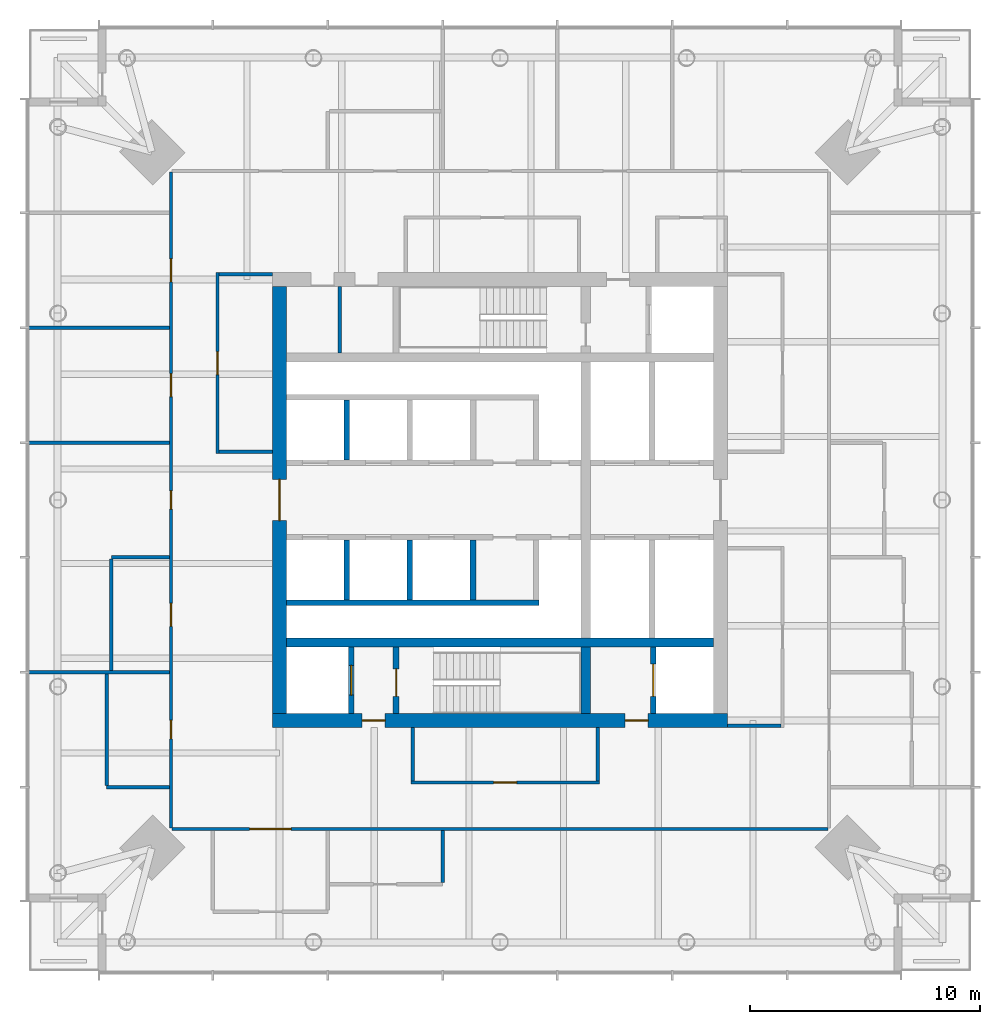
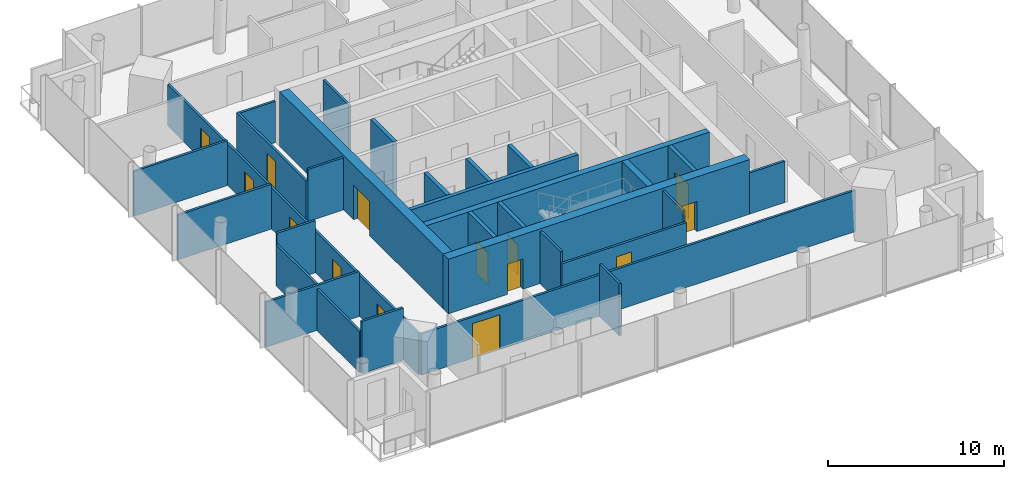
# One storey, part 4 of 8: 30 walls, 14 doors, 14 openings.
"""IFC4 building model written with IfcOpenShell, lengths in metres."""

from ifc_helpers import new_model, si_unit, direction, frame, frame_2d, origin, place, context, subcontext, project, spatial, rectangle, extrude, material, layer, layer_set, type_object, element, fill, save


model = new_model("IFC4")

# Units and contexts
model_context = context("Model", 3, precision=1e-05, world=origin(), true_north=direction((0.0, 1.0)))
body_context = subcontext(model_context, "Body", "Model", "MODEL_VIEW")
ifc_project = project(units=[si_unit("LENGTHUNIT", "METRE"), si_unit("AREAUNIT", "SQUARE_METRE"), si_unit("VOLUMEUNIT", "CUBIC_METRE"), si_unit("PLANEANGLEUNIT", "RADIAN"), si_unit("MASSUNIT", "GRAM", prefix="KILO")], contexts=[model_context])

# Site, building, storey
site_placement = place(None, origin())
site = spatial("IfcSite", under=ifc_project, at=site_placement, CompositionType="ELEMENT")
building_placement = place(site_placement, origin())
building = spatial("IfcBuilding", under=site, at=building_placement, Name="Ostroluk Exchange", CompositionType="ELEMENT")
storey_placement = place(building_placement, frame((0.0, 0.0, 169.199951171875)))
storey = spatial("IfcBuildingStorey", under=building, at=storey_placement, Name="L43", CompositionType="ELEMENT", Elevation=169.199951171875)

# Walls
ifc_material_1 = material(Name="Concrete blockwork", Category="masonry")
ifc_layer_1 = layer(ifc_material_1, 0.14990234375)
ifc_layer_set_1 = layer_set([ifc_layer_1], Name="Blockwork plant room wall 150")
wall_type_1 = type_object("IfcWallType", Name="Blockwork plant room wall 150", PredefinedType="SOLIDWALL", material=ifc_layer_set_1)
wall_1_placement = place(storey_placement, frame((38.02490234375, 52.39990234375, 0.0), z_axis=(0.0, 0.0, 1.0), x_axis=(0.0, 1.0, 0.0)))
element("IfcWall", 1, at=wall_1_placement, inside=storey, type_object=wall_type_1, Name="Core room wall", PredefinedType="SOLIDWALL", context=body_context, shape_type="SweptSolid", body=[
    extrude(rectangle(XDim=2.900146484375, YDim=0.14990234375, at=frame_2d((1.4501953125, 0.0))), origin(), (0.0, 0.0, 1.0), 3.6201171875),
])
ifc_material_2 = material(Name="Concrete C50/60", Category="concrete")
ifc_layer_2 = layer(ifc_material_2, 0.39990234375)
ifc_layer_set_2 = layer_set([ifc_layer_2], Name="Core cross wall 400 C50/60")
wall_type_2 = type_object("IfcWallType", Name="Core cross wall 400 C50/60", PredefinedType="SHEAR", material=ifc_layer_set_2)
wall_2_placement = place(storey_placement, frame((35.699951171875, 39.800048828125, 0.0), z_axis=(0.0, 0.0, 1.0), x_axis=(1.0, 0.0, 0.0)))
element("IfcWall", 2, at=wall_2_placement, inside=storey, type_object=wall_type_2, Name="T1 core wall XS", PredefinedType="SHEAR", context=body_context, shape_type="SweptSolid", body=[
    extrude(rectangle(XDim=18.60009765625, YDim=0.39990234375, at=frame_2d((9.300048828125, 0.0))), origin(), (0.0, 0.0, 1.0), 3.800048828125),
])
wall_3_placement = place(storey_placement, frame((48.72998046875, 36.699951171875, 0.0), z_axis=(0.0, 0.0, 1.0), x_axis=(0.0, 1.0, 0.0)))
element("IfcWall", 3, at=wall_3_placement, inside=storey, type_object=wall_type_2, Name="T1 core wall YE1", PredefinedType="SHEAR", context=body_context, shape_type="SweptSolid", body=[
    extrude(rectangle(XDim=2.900146484375, YDim=0.39990234375, at=frame_2d((1.4501953125, 0.0))), origin(), (0.0, 0.0, 1.0), 3.800048828125),
])

# Wall, opening, door
ifc_material_3 = material(Name="Concrete C40/50", Category="concrete")
ifc_layer_3 = layer(ifc_material_3, 0.25)
ifc_layer_set_3 = layer_set([ifc_layer_3], Name="Core shaft wall 250")
wall_type_3 = type_object("IfcWallType", Name="Core shaft wall 250", PredefinedType="SHEAR", material=ifc_layer_set_3)
wall_4_placement = place(storey_placement, frame((38.52490234375, 36.699951171875, 0.0), z_axis=(0.0, 0.0, 1.0), x_axis=(0.0, 1.0, 0.0)))
wall_4 = element("IfcWall", 4, at=wall_4_placement, inside=storey, type_object=wall_type_3, Name="Firefighting lift shaft wall", PredefinedType="SHEAR", context=body_context, shape_type="SweptSolid", body=[
    extrude(rectangle(XDim=2.900146484375, YDim=0.25, at=frame_2d((1.4501953125, 0.0))), origin(), (0.0, 0.0, 1.0), 3.800048828125),
])
opening_1_placement = place(wall_4_placement, frame((0.800048828125, 0.0, 0.0)))
opening_1 = element("IfcOpeningElement", 5, at=opening_1_placement, cuts=wall_4, Name="Opening LD2", PredefinedType="OPENING", context=body_context, shape_type="SweptSolid", body=[
    extrude(rectangle(XDim=1.300048828125, YDim=2.199951171875, at=frame_2d((0.64990234375, 1.10009765625))), frame((0.0, 0.135009765625, 0.0), z_axis=(0.0, -1.0, 0.0), x_axis=(1.0, 0.0, 0.0)), (0.0, 0.0, 1.0), 0.27001953125),
])
ifc_material_4 = material(Name="Stainless steel", Category="steel")
door_type_1 = type_object("IfcDoorType", Name="Lift landing door E 60 1300 x 2200", OperationType="DOUBLE_DOOR_SLIDING", PredefinedType="DOOR", material=ifc_material_4)
door_1_placement = place(opening_1_placement, origin())
door_1 = element("IfcDoor", 6, at=door_1_placement, inside=storey, type_object=door_type_1, Name="Lift FL1 landing door", OperationType="DOUBLE_DOOR_SLIDING", OverallHeight=2.199951171875, OverallWidth=1.300048828125, PredefinedType="DOOR", context=body_context, shape_type="SweptSolid", body=[
    extrude(rectangle(XDim=1.300048828125, YDim=2.199951171875, at=frame_2d((0.64990234375, 1.10009765625))), frame((0.0, 0.02490234375, 0.0), z_axis=(0.0, -1.0, 0.0), x_axis=(1.0, 0.0, 0.0)), (0.0, 0.0, 1.0), 0.050048828125),
])
fill(opening_1, door_1)

wall_5_placement = place(storey_placement, frame((40.47509765625, 36.699951171875, 0.0), z_axis=(0.0, 0.0, 1.0), x_axis=(0.0, 1.0, 0.0)))
wall_5 = element("IfcWall", 7, at=wall_5_placement, inside=storey, type_object=wall_type_3, Name="Stair shaft wall", PredefinedType="SHEAR", context=body_context, shape_type="SweptSolid", body=[
    extrude(rectangle(XDim=2.900146484375, YDim=0.25, at=frame_2d((1.4501953125, 0.0))), origin(), (0.0, 0.0, 1.0), 3.800048828125),
])
opening_2_placement = place(wall_5_placement, frame((0.75, 0.0, 0.0)))
opening_2 = element("IfcOpeningElement", 8, at=opening_2_placement, cuts=wall_5, Name="Opening FD60S", PredefinedType="OPENING", context=body_context, shape_type="SweptSolid", body=[
    extrude(rectangle(XDim=1.199951171875, YDim=2.10009765625, at=frame_2d((0.60009765625, 1.050048828125))), frame((0.0, 0.135009765625, 0.0), z_axis=(0.0, -1.0, 0.0), x_axis=(1.0, 0.0, 0.0)), (0.0, 0.0, 1.0), 0.27001953125),
])
ifc_material_5 = material(Name="Steel", Category="steel")
door_type_2 = type_object("IfcDoorType", Name="Stair door EI 60 1200 x 2100", OperationType="SINGLE_SWING_LEFT", PredefinedType="DOOR", material=ifc_material_5)
door_2_placement = place(opening_2_placement, origin())
door_2 = element("IfcDoor", 9, at=door_2_placement, inside=storey, type_object=door_type_2, Name="Stair T1-S1 door", OperationType="SINGLE_SWING_LEFT", OverallHeight=2.10009765625, OverallWidth=1.199951171875, PredefinedType="DOOR", context=body_context, shape_type="SweptSolid", body=[
    extrude(rectangle(XDim=1.199951171875, YDim=2.10009765625, at=frame_2d((0.60009765625, 1.050048828125))), frame((0.0, 0.02490234375, 0.0), z_axis=(0.0, -1.0, 0.0), x_axis=(1.0, 0.0, 0.0)), (0.0, 0.0, 1.0), 0.050048828125),
])
fill(opening_2, door_2)

wall_6_placement = place(storey_placement, frame((51.675048828125, 36.699951171875, 0.0), z_axis=(0.0, 0.0, 1.0), x_axis=(0.0, 1.0, 0.0)))
wall_6 = element("IfcWall", 10, at=wall_6_placement, inside=storey, type_object=wall_type_3, Name="Service lift shaft wall", PredefinedType="SHEAR", context=body_context, shape_type="SweptSolid", body=[
    extrude(rectangle(XDim=2.900146484375, YDim=0.25, at=frame_2d((1.4501953125, 0.0))), origin(), (0.0, 0.0, 1.0), 3.800048828125),
])
opening_3_placement = place(wall_6_placement, frame((0.75, 0.0, 0.0)))
opening_3 = element("IfcOpeningElement", 11, at=opening_3_placement, cuts=wall_6, Name="Opening LD3", PredefinedType="OPENING", context=body_context, shape_type="SweptSolid", body=[
    extrude(rectangle(XDim=1.39990234375, YDim=2.39990234375, at=frame_2d((0.699951171875, 1.199951171875))), frame((0.0, 0.135009765625, 0.0), z_axis=(0.0, -1.0, 0.0), x_axis=(1.0, 0.0, 0.0)), (0.0, 0.0, 1.0), 0.27001953125),
])
ifc_material_6 = material(Name="Stainless steel", Category="steel")
door_type_3 = type_object("IfcDoorType", Name="Goods lift landing door E 60 1400 x 2400", OperationType="DOUBLE_DOOR_SLIDING", PredefinedType="DOOR", material=ifc_material_6)
door_3_placement = place(opening_3_placement, origin())
door_3 = element("IfcDoor", 12, at=door_3_placement, inside=storey, type_object=door_type_3, Name="Lift SL1 landing door", OperationType="DOUBLE_DOOR_SLIDING", OverallHeight=2.39990234375, OverallWidth=1.39990234375, PredefinedType="DOOR", context=body_context, shape_type="SweptSolid", body=[
    extrude(rectangle(XDim=1.39990234375, YDim=2.39990234375, at=frame_2d((0.699951171875, 1.199951171875))), frame((0.0, 0.02490234375, 0.0), z_axis=(0.0, -1.0, 0.0), x_axis=(1.0, 0.0, 0.0)), (0.0, 0.0, 1.0), 0.050048828125),
])
fill(opening_3, door_3)

# Walls
for number, where, z_axis, x_axis, name in (
    (13, (38.324951171875, 47.75, 0.0), (0.0, 0.0, 1.0), (0.0, 1.0, 0.0), "Lift shaft wall"),
    (14, (38.324951171875, 44.25, 0.0), (0.0, 0.0, 1.0), (0.0, -1.0, 0.0), "Lift shaft wall"),
    (15, (41.074951171875, 44.25, 0.0), (0.0, 0.0, 1.0), (0.0, -1.0, 0.0), "Lift shaft wall"),
    (16, (43.824951171875, 44.25, 0.0), (0.0, 0.0, 1.0), (0.0, -1.0, 0.0), "Lift shaft wall"),
):
    element("IfcWall", number, at=place(storey_placement, frame(where, z_axis=z_axis, x_axis=x_axis)), inside=storey, type_object=wall_type_3, Name=name, PredefinedType="SHEAR", context=body_context, shape_type="SweptSolid", body=[
        extrude(rectangle(XDim=2.60009765625, YDim=0.25, at=frame_2d((1.300048828125, 0.0))), origin(), (0.0, 0.0, 1.0), 3.800048828125),
    ])
wall_7_placement = place(storey_placement, frame((35.699951171875, 41.52490234375, 0.0), z_axis=(0.0, 0.0, 1.0), x_axis=(1.0, 0.0, 0.0)))
element("IfcWall", 17, at=wall_7_placement, inside=storey, type_object=wall_type_3, Name="Lift shaft wall", PredefinedType="SHEAR", context=body_context, shape_type="SweptSolid", body=[
    extrude(rectangle(XDim=11.0, YDim=0.25, at=frame_2d((5.5, 0.0))), origin(), (0.0, 0.0, 1.0), 3.800048828125),
])

# Wall, openings, doors
ifc_material_7 = material(Name="Concrete C50/60", Category="concrete")
ifc_layer_4 = layer(ifc_material_7, 0.60009765625)
ifc_layer_set_4 = layer_set([ifc_layer_4], Name="Core wall 600 C50/60")
wall_type_4 = type_object("IfcWallType", Name="Core wall 600 C50/60", PredefinedType="SHEAR", material=ifc_layer_set_4)
wall_8_placement = place(storey_placement, frame((35.10009765625, 36.39990234375, 0.0), z_axis=(0.0, 0.0, 1.0), x_axis=(1.0, 0.0, 0.0)))
wall_8 = element("IfcWall", 18, at=wall_8_placement, inside=storey, type_object=wall_type_4, Name="T1 core wall S", PredefinedType="SHEAR", context=body_context, shape_type="SweptSolid", body=[
    extrude(rectangle(XDim=19.7998046875, YDim=0.60009765625, at=frame_2d((9.89990234375, 0.0))), origin(), (0.0, 0.0, 1.0), 3.800048828125),
])
opening_4_placement = place(wall_8_placement, frame((3.89990234375, 0.0, 0.0)))
opening_4 = element("IfcOpeningElement", 19, at=opening_4_placement, cuts=wall_8, Name="Opening FD60", PredefinedType="OPENING", context=body_context, shape_type="SweptSolid", body=[
    extrude(rectangle(XDim=1.0, YDim=2.10009765625, at=frame_2d((0.5, 1.050048828125))), frame((0.0, 0.31005859375, 0.0), z_axis=(0.0, -1.0, 0.0), x_axis=(1.0, 0.0, 0.0)), (0.0, 0.0, 1.0), 0.6201171875),
])
opening_5_placement = place(wall_8_placement, frame((15.35009765625, 0.0, 0.0)))
opening_5 = element("IfcOpeningElement", 20, at=opening_5_placement, cuts=wall_8, Name="Opening FD60", PredefinedType="OPENING", context=body_context, shape_type="SweptSolid", body=[
    extrude(rectangle(XDim=1.0, YDim=2.10009765625, at=frame_2d((0.5, 1.050048828125))), frame((0.0, 0.31005859375, 0.0), z_axis=(0.0, -1.0, 0.0), x_axis=(1.0, 0.0, 0.0)), (0.0, 0.0, 1.0), 0.6201171875),
])
ifc_material_8 = material(Name="Steel", Category="steel")
door_type_4 = type_object("IfcDoorType", Name="Fire door EI 60 1000 x 2100", OperationType="SINGLE_SWING_LEFT", PredefinedType="DOOR", material=ifc_material_8)
door_4_placement = place(opening_4_placement, origin())
door_4 = element("IfcDoor", 21, at=door_4_placement, inside=storey, type_object=door_type_4, Name="Firefighting lobby door", OperationType="SINGLE_SWING_LEFT", OverallHeight=2.10009765625, OverallWidth=1.0, PredefinedType="DOOR", context=body_context, shape_type="SweptSolid", body=[
    extrude(rectangle(XDim=1.0, YDim=2.10009765625, at=frame_2d((0.5, 1.050048828125))), frame((0.0, 0.02490234375, 0.0), z_axis=(0.0, -1.0, 0.0), x_axis=(1.0, 0.0, 0.0)), (0.0, 0.0, 1.0), 0.050048828125),
])
fill(opening_4, door_4)
door_5_placement = place(opening_5_placement, origin())
door_5 = element("IfcDoor", 22, at=door_5_placement, inside=storey, type_object=door_type_4, Name="Service lobby door", OperationType="SINGLE_SWING_RIGHT", OverallHeight=2.10009765625, OverallWidth=1.0, PredefinedType="DOOR", context=body_context, shape_type="SweptSolid", body=[
    extrude(rectangle(XDim=1.0, YDim=2.10009765625, at=frame_2d((0.5, 1.050048828125))), frame((0.0, 0.02490234375, 0.0), z_axis=(0.0, -1.0, 0.0), x_axis=(1.0, 0.0, 0.0)), (0.0, 0.0, 1.0), 0.050048828125),
])
fill(opening_5, door_5)

# Wall, opening, door
wall_9_placement = place(storey_placement, frame((35.39990234375, 36.699951171875, 0.0), z_axis=(0.0, 0.0, 1.0), x_axis=(0.0, 1.0, 0.0)))
wall_9 = element("IfcWall", 23, at=wall_9_placement, inside=storey, type_object=wall_type_4, Name="T1 core wall W", PredefinedType="SHEAR", context=body_context, shape_type="SweptSolid", body=[
    extrude(rectangle(XDim=18.60009765625, YDim=0.60009765625, at=frame_2d((9.300048828125, 0.0))), origin(), (0.0, 0.0, 1.0), 3.800048828125),
])
opening_6_placement = place(wall_9_placement, frame((8.39990234375, 0.0, 0.0)))
opening_6 = element("IfcOpeningElement", 24, at=opening_6_placement, cuts=wall_9, Name="Opening FD30D", PredefinedType="OPENING", context=body_context, shape_type="SweptSolid", body=[
    extrude(rectangle(XDim=1.800048828125, YDim=2.39990234375, at=frame_2d((0.89990234375, 1.199951171875))), frame((0.0, 0.31005859375, 0.0), z_axis=(0.0, -1.0, 0.0), x_axis=(1.0, 0.0, 0.0)), (0.0, 0.0, 1.0), 0.6201171875),
])
ifc_material_9 = material(Name="Timber", Category="wood")
door_type_5 = type_object("IfcDoorType", Name="Lobby double door EI 30 1800 x 2400", OperationType="DOUBLE_DOOR_SINGLE_SWING", PredefinedType="DOOR", material=ifc_material_9)
door_6_placement = place(opening_6_placement, origin())
door_6 = element("IfcDoor", 25, at=door_6_placement, inside=storey, type_object=door_type_5, Name="Lift lobby doors", OperationType="DOUBLE_DOOR_SINGLE_SWING", OverallHeight=2.39990234375, OverallWidth=1.800048828125, PredefinedType="DOOR", context=body_context, shape_type="SweptSolid", body=[
    extrude(rectangle(XDim=1.800048828125, YDim=2.39990234375, at=frame_2d((0.89990234375, 1.199951171875))), frame((0.0, 0.02490234375, 0.0), z_axis=(0.0, -1.0, 0.0), x_axis=(1.0, 0.0, 0.0)), (0.0, 0.0, 1.0), 0.050048828125),
])
fill(opening_6, door_6)

# Wall
ifc_material_10 = material(Name="Gypsum plasterboard partition", Category="gypsum")
ifc_layer_5 = layer(ifc_material_10, 0.14990234375)
ifc_layer_set_5 = layer_set([ifc_layer_5], Name="Plasterboard partition 150")
wall_type_5 = type_object("IfcWallType", Name="Plasterboard partition 150", PredefinedType="PARTITIONING", material=ifc_layer_set_5)
wall_10_placement = place(storey_placement, frame((54.89990234375, 36.175048828125, 0.0), z_axis=(0.0, 0.0, 1.0), x_axis=(1.0, 0.0, 0.0)))
element("IfcWall", 26, at=wall_10_placement, inside=storey, type_object=wall_type_5, Name="Partition", PredefinedType="PARTITIONING", context=body_context, shape_type="SweptSolid", body=[
    extrude(rectangle(XDim=2.3251953125, YDim=0.14990234375, at=frame_2d((1.16259765625, 0.0))), origin(), (0.0, 0.0, 1.0), 2.866943359375),
])

# Wall, opening, door
wall_11_placement = place(storey_placement, frame((32.699951171875, 55.89990234375, 0.0), z_axis=(0.0, 0.0, 1.0), x_axis=(0.0, -1.0, 0.0)))
wall_11 = element("IfcWall", 27, at=wall_11_placement, inside=storey, type_object=wall_type_5, Name="Partition", PredefinedType="PARTITIONING", context=body_context, shape_type="SweptSolid", body=[
    extrude(rectangle(XDim=7.875, YDim=0.14990234375, at=frame_2d((3.9375, 0.0))), origin(), (0.0, 0.0, 1.0), 2.866943359375),
])
opening_7_placement = place(wall_11_placement, frame((3.4375, 0.0, 0.0)))
opening_7 = element("IfcOpeningElement", 28, at=opening_7_placement, cuts=wall_11, Name="Opening D-03", PredefinedType="OPENING", context=body_context, shape_type="SweptSolid", body=[
    extrude(rectangle(XDim=1.0, YDim=2.10009765625, at=frame_2d((0.5, 1.050048828125))), frame((0.0, 0.0849609375, 0.0), z_axis=(0.0, -1.0, 0.0), x_axis=(1.0, 0.0, 0.0)), (0.0, 0.0, 1.0), 0.169921875),
])
ifc_material_11 = material(Name="Timber", Category="wood")
door_type_6 = type_object("IfcDoorType", Name="Internal door 1000 x 2100", OperationType="SINGLE_SWING_LEFT", PredefinedType="DOOR", material=ifc_material_11)
door_7_placement = place(opening_7_placement, origin())
door_7 = element("IfcDoor", 29, at=door_7_placement, inside=storey, type_object=door_type_6, Name="Meeting room door", OperationType="SINGLE_SWING_LEFT", OverallHeight=2.10009765625, OverallWidth=1.0, PredefinedType="DOOR", context=body_context, shape_type="SweptSolid", body=[
    extrude(rectangle(XDim=1.0, YDim=2.10009765625, at=frame_2d((0.5, 1.050048828125))), frame((0.0, 0.02490234375, 0.0), z_axis=(0.0, -1.0, 0.0), x_axis=(1.0, 0.0, 0.0)), (0.0, 0.0, 1.0), 0.050048828125),
])
fill(opening_7, door_7)

# Walls
wall_12_placement = place(storey_placement, frame((35.10009765625, 55.824951171875, 0.0), z_axis=(0.0, 0.0, 1.0), x_axis=(-1.0, 0.0, 0.0)))
element("IfcWall", 30, at=wall_12_placement, inside=storey, type_object=wall_type_5, Name="Partition", PredefinedType="PARTITIONING", context=body_context, shape_type="SweptSolid", body=[
    extrude(rectangle(XDim=2.3251953125, YDim=0.14990234375, at=frame_2d((1.16259765625, 0.0))), origin(), (0.0, 0.0, 1.0), 2.866943359375),
])
wall_13_placement = place(storey_placement, frame((35.10009765625, 48.10009765625, 0.0), z_axis=(0.0, 0.0, 1.0), x_axis=(-1.0, 0.0, 0.0)))
element("IfcWall", 31, at=wall_13_placement, inside=storey, type_object=wall_type_5, Name="Partition", PredefinedType="PARTITIONING", context=body_context, shape_type="SweptSolid", body=[
    extrude(rectangle(XDim=2.3251953125, YDim=0.14990234375, at=frame_2d((1.16259765625, 0.0))), origin(), (0.0, 0.0, 1.0), 3.6201171875),
])

# Wall, opening, door
wall_14_placement = place(storey_placement, frame((41.125, 33.699951171875, 0.0), z_axis=(0.0, 0.0, 1.0), x_axis=(1.0, 0.0, 0.0)))
wall_14 = element("IfcWall", 32, at=wall_14_placement, inside=storey, type_object=wall_type_5, Name="Partition", PredefinedType="PARTITIONING", context=body_context, shape_type="SweptSolid", body=[
    extrude(rectangle(XDim=8.199951171875, YDim=0.14990234375, at=frame_2d((4.10009765625, 0.0))), origin(), (0.0, 0.0, 1.0), 2.866943359375),
])
opening_8_placement = place(wall_14_placement, frame((3.60009765625, 0.0, 0.0)))
opening_8 = element("IfcOpeningElement", 33, at=opening_8_placement, cuts=wall_14, Name="Opening D-03", PredefinedType="OPENING", context=body_context, shape_type="SweptSolid", body=[
    extrude(rectangle(XDim=1.0, YDim=2.10009765625, at=frame_2d((0.5, 1.050048828125))), frame((0.0, 0.0849609375, 0.0), z_axis=(0.0, -1.0, 0.0), x_axis=(1.0, 0.0, 0.0)), (0.0, 0.0, 1.0), 0.169921875),
])
door_8_placement = place(opening_8_placement, origin())
door_8 = element("IfcDoor", 34, at=door_8_placement, inside=storey, type_object=door_type_6, Name="Meeting room door", OperationType="SINGLE_SWING_LEFT", OverallHeight=2.10009765625, OverallWidth=1.0, PredefinedType="DOOR", context=body_context, shape_type="SweptSolid", body=[
    extrude(rectangle(XDim=1.0, YDim=2.10009765625, at=frame_2d((0.5, 1.050048828125))), frame((0.0, 0.02490234375, 0.0), z_axis=(0.0, -1.0, 0.0), x_axis=(1.0, 0.0, 0.0)), (0.0, 0.0, 1.0), 0.050048828125),
])
fill(opening_8, door_8)

# Walls
for number, where, z_axis, x_axis, name in (
    (35, (41.199951171875, 36.10009765625, 0.0), (0.0, 0.0, 1.0), (0.0, -1.0, 0.0), "Partition"),
    (36, (49.25, 36.10009765625, 0.0), (0.0, 0.0, 1.0), (0.0, -1.0, 0.0), "Partition"),
):
    element("IfcWall", number, at=place(storey_placement, frame(where, z_axis=z_axis, x_axis=x_axis)), inside=storey, type_object=wall_type_5, Name=name, PredefinedType="PARTITIONING", context=body_context, shape_type="SweptSolid", body=[
        extrude(rectangle(XDim=2.3251953125, YDim=0.14990234375, at=frame_2d((1.16259765625, 0.0))), origin(), (0.0, 0.0, 1.0), 3.6201171875),
    ])

# Wall, openings, doors
wall_15_placement = place(storey_placement, frame((30.675048828125, 60.271484375, 0.0), z_axis=(0.0, 0.0, 1.0), x_axis=(0.0, -1.0, 0.0)))
wall_15 = element("IfcWall", 37, at=wall_15_placement, inside=storey, type_object=wall_type_5, Name="Partition", PredefinedType="PARTITIONING", context=body_context, shape_type="SweptSolid", body=[
    extrude(rectangle(XDim=28.54296875, YDim=0.14990234375, at=frame_2d((14.271484375, 0.0))), origin(), (0.0, 0.0, 1.0), 2.866943359375),
])
opening_9_placement = place(wall_15_placement, frame((3.771484375, 0.0, 0.0)))
opening_9 = element("IfcOpeningElement", 38, at=opening_9_placement, cuts=wall_15, Name="Opening D-03", PredefinedType="OPENING", context=body_context, shape_type="SweptSolid", body=[
    extrude(rectangle(XDim=1.0, YDim=2.10009765625, at=frame_2d((0.5, 1.050048828125))), frame((0.0, 0.0849609375, 0.0), z_axis=(0.0, -1.0, 0.0), x_axis=(1.0, 0.0, 0.0)), (0.0, 0.0, 1.0), 0.169921875),
])
opening_10_placement = place(wall_15_placement, frame((8.771484375, 0.0, 0.0)))
opening_10 = element("IfcOpeningElement", 39, at=opening_10_placement, cuts=wall_15, Name="Opening D-03", PredefinedType="OPENING", context=body_context, shape_type="SweptSolid", body=[
    extrude(rectangle(XDim=1.0, YDim=2.10009765625, at=frame_2d((0.5, 1.050048828125))), frame((0.0, 0.0849609375, 0.0), z_axis=(0.0, -1.0, 0.0), x_axis=(1.0, 0.0, 0.0)), (0.0, 0.0, 1.0), 0.169921875),
])
opening_11_placement = place(wall_15_placement, frame((13.87158203125, 0.0, 0.0)))
opening_11 = element("IfcOpeningElement", 40, at=opening_11_placement, cuts=wall_15, Name="Opening D-06", PredefinedType="OPENING", context=body_context, shape_type="SweptSolid", body=[
    extrude(rectangle(XDim=0.800048828125, YDim=2.10009765625, at=frame_2d((0.39990234375, 1.050048828125))), frame((0.0, 0.0849609375, 0.0), z_axis=(0.0, -1.0, 0.0), x_axis=(1.0, 0.0, 0.0)), (0.0, 0.0, 1.0), 0.169921875),
])
opening_12_placement = place(wall_15_placement, frame((18.771484375, 0.0, 0.0)))
opening_12 = element("IfcOpeningElement", 41, at=opening_12_placement, cuts=wall_15, Name="Opening D-03", PredefinedType="OPENING", context=body_context, shape_type="SweptSolid", body=[
    extrude(rectangle(XDim=1.0, YDim=2.10009765625, at=frame_2d((0.5, 1.050048828125))), frame((0.0, 0.0849609375, 0.0), z_axis=(0.0, -1.0, 0.0), x_axis=(1.0, 0.0, 0.0)), (0.0, 0.0, 1.0), 0.169921875),
])
opening_13_placement = place(wall_15_placement, frame((23.87158203125, 0.0, 0.0)))
opening_13 = element("IfcOpeningElement", 42, at=opening_13_placement, cuts=wall_15, Name="Opening D-06", PredefinedType="OPENING", context=body_context, shape_type="SweptSolid", body=[
    extrude(rectangle(XDim=0.800048828125, YDim=2.10009765625, at=frame_2d((0.39990234375, 1.050048828125))), frame((0.0, 0.0849609375, 0.0), z_axis=(0.0, -1.0, 0.0), x_axis=(1.0, 0.0, 0.0)), (0.0, 0.0, 1.0), 0.169921875),
])
door_9_placement = place(opening_9_placement, origin())
door_9 = element("IfcDoor", 43, at=door_9_placement, inside=storey, type_object=door_type_6, Name="Office door", OperationType="SINGLE_SWING_LEFT", OverallHeight=2.10009765625, OverallWidth=1.0, PredefinedType="DOOR", context=body_context, shape_type="SweptSolid", body=[
    extrude(rectangle(XDim=1.0, YDim=2.10009765625, at=frame_2d((0.5, 1.050048828125))), frame((0.0, 0.02490234375, 0.0), z_axis=(0.0, -1.0, 0.0), x_axis=(1.0, 0.0, 0.0)), (0.0, 0.0, 1.0), 0.050048828125),
])
fill(opening_9, door_9)
door_10_placement = place(opening_10_placement, origin())
door_10 = element("IfcDoor", 44, at=door_10_placement, inside=storey, type_object=door_type_6, Name="Meeting room door", OperationType="SINGLE_SWING_LEFT", OverallHeight=2.10009765625, OverallWidth=1.0, PredefinedType="DOOR", context=body_context, shape_type="SweptSolid", body=[
    extrude(rectangle(XDim=1.0, YDim=2.10009765625, at=frame_2d((0.5, 1.050048828125))), frame((0.0, 0.02490234375, 0.0), z_axis=(0.0, -1.0, 0.0), x_axis=(1.0, 0.0, 0.0)), (0.0, 0.0, 1.0), 0.050048828125),
])
fill(opening_10, door_10)
door_11_placement = place(opening_12_placement, origin())
door_11 = element("IfcDoor", 45, at=door_11_placement, inside=storey, type_object=door_type_6, Name="Accessible WC door", OperationType="SINGLE_SWING_RIGHT", OverallHeight=2.10009765625, OverallWidth=1.0, PredefinedType="DOOR", context=body_context, shape_type="SweptSolid", body=[
    extrude(rectangle(XDim=1.0, YDim=2.10009765625, at=frame_2d((0.5, 1.050048828125))), frame((0.0, 0.02490234375, 0.0), z_axis=(0.0, -1.0, 0.0), x_axis=(1.0, 0.0, 0.0)), (0.0, 0.0, 1.0), 0.050048828125),
])
fill(opening_12, door_11)
ifc_material_12 = material(Name="Timber", Category="wood")
door_type_7 = type_object("IfcDoorType", Name="Toilet door 800 x 2100", OperationType="SINGLE_SWING_LEFT", PredefinedType="DOOR", material=ifc_material_12)
door_12_placement = place(opening_11_placement, origin())
door_12 = element("IfcDoor", 46, at=door_12_placement, inside=storey, type_object=door_type_7, Name="WC female door", OperationType="SINGLE_SWING_LEFT", OverallHeight=2.10009765625, OverallWidth=0.800048828125, PredefinedType="DOOR", context=body_context, shape_type="SweptSolid", body=[
    extrude(rectangle(XDim=0.800048828125, YDim=2.10009765625, at=frame_2d((0.39990234375, 1.050048828125))), frame((0.0, 0.02490234375, 0.0), z_axis=(0.0, -1.0, 0.0), x_axis=(1.0, 0.0, 0.0)), (0.0, 0.0, 1.0), 0.050048828125),
])
fill(opening_11, door_12)
door_13_placement = place(opening_13_placement, origin())
door_13 = element("IfcDoor", 47, at=door_13_placement, inside=storey, type_object=door_type_7, Name="WC male door", OperationType="SINGLE_SWING_RIGHT", OverallHeight=2.10009765625, OverallWidth=0.800048828125, PredefinedType="DOOR", context=body_context, shape_type="SweptSolid", body=[
    extrude(rectangle(XDim=0.800048828125, YDim=2.10009765625, at=frame_2d((0.39990234375, 1.050048828125))), frame((0.0, 0.02490234375, 0.0), z_axis=(0.0, -1.0, 0.0), x_axis=(1.0, 0.0, 0.0)), (0.0, 0.0, 1.0), 0.050048828125),
])
fill(opening_13, door_13)

# Walls
for number, where, z_axis, x_axis, name in (
    (48, (30.60009765625, 53.5, 0.0), (0.0, 0.0, 1.0), (-1.0, 0.0, 0.0), "Partition"),
    (49, (30.60009765625, 48.5, 0.0), (0.0, 0.0, 1.0), (-1.0, 0.0, 0.0), "Partition"),
):
    element("IfcWall", number, at=place(storey_placement, frame(where, z_axis=z_axis, x_axis=x_axis)), inside=storey, type_object=wall_type_5, Name=name, PredefinedType="PARTITIONING", context=body_context, shape_type="SweptSolid", body=[
        extrude(rectangle(XDim=6.14013671875, YDim=0.14990234375, at=frame_2d((3.070068359375, 0.0))), origin(), (0.0, 0.0, 1.0), 3.1201171875),
    ])
wall_16_placement = place(storey_placement, frame((30.60009765625, 43.5, 0.0), z_axis=(0.0, 0.0, 1.0), x_axis=(-1.0, 0.0, 0.0)))
element("IfcWall", 50, at=wall_16_placement, inside=storey, type_object=wall_type_5, Name="Partition", PredefinedType="PARTITIONING", context=body_context, shape_type="SweptSolid", body=[
    extrude(rectangle(XDim=2.525146484375, YDim=0.14990234375, at=frame_2d((1.2626953125, 0.0))), origin(), (0.0, 0.0, 1.0), 3.6201171875),
])
wall_17_placement = place(storey_placement, frame((30.60009765625, 38.5, 0.0), z_axis=(0.0, 0.0, 1.0), x_axis=(-1.0, 0.0, 0.0)))
element("IfcWall", 51, at=wall_17_placement, inside=storey, type_object=wall_type_5, Name="Partition", PredefinedType="PARTITIONING", context=body_context, shape_type="SweptSolid", body=[
    extrude(rectangle(XDim=6.14013671875, YDim=0.14990234375, at=frame_2d((3.070068359375, 0.0))), origin(), (0.0, 0.0, 1.0), 3.1201171875),
])
wall_18_placement = place(storey_placement, frame((30.60009765625, 33.5, 0.0), z_axis=(0.0, 0.0, 1.0), x_axis=(-1.0, 0.0, 0.0)))
element("IfcWall", 52, at=wall_18_placement, inside=storey, type_object=wall_type_5, Name="Partition", PredefinedType="PARTITIONING", context=body_context, shape_type="SweptSolid", body=[
    extrude(rectangle(XDim=2.72509765625, YDim=0.14990234375, at=frame_2d((1.362548828125, 0.0))), origin(), (0.0, 0.0, 1.0), 3.6201171875),
])

# Wall, opening, door
wall_19_placement = place(storey_placement, frame((30.728515625, 31.675048828125, 0.0), z_axis=(0.0, 0.0, 1.0), x_axis=(1.0, 0.0, 0.0)))
wall_19 = element("IfcWall", 53, at=wall_19_placement, inside=storey, type_object=wall_type_5, Name="Partition", PredefinedType="PARTITIONING", context=body_context, shape_type="SweptSolid", body=[
    extrude(rectangle(XDim=28.54296875, YDim=0.14990234375, at=frame_2d((14.271484375, 0.0))), origin(), (0.0, 0.0, 1.0), 2.866943359375),
])
opening_14_placement = place(wall_19_placement, frame((3.37158203125, 0.0, 0.0)))
opening_14 = element("IfcOpeningElement", 54, at=opening_14_placement, cuts=wall_19, Name="Opening D-04", PredefinedType="OPENING", context=body_context, shape_type="SweptSolid", body=[
    extrude(rectangle(XDim=1.800048828125, YDim=2.39990234375, at=frame_2d((0.89990234375, 1.199951171875))), frame((0.0, 0.0849609375, 0.0), z_axis=(0.0, -1.0, 0.0), x_axis=(1.0, 0.0, 0.0)), (0.0, 0.0, 1.0), 0.169921875),
])
ifc_material_13 = material(Name="Timber", Category="wood")
door_type_8 = type_object("IfcDoorType", Name="Double door 1800 x 2400", OperationType="DOUBLE_DOOR_SINGLE_SWING", PredefinedType="DOOR", material=ifc_material_13)
door_14_placement = place(opening_14_placement, origin())
door_14 = element("IfcDoor", 55, at=door_14_placement, inside=storey, type_object=door_type_8, Name="Office reception door", OperationType="DOUBLE_DOOR_SINGLE_SWING", OverallHeight=2.39990234375, OverallWidth=1.800048828125, PredefinedType="DOOR", context=body_context, shape_type="SweptSolid", body=[
    extrude(rectangle(XDim=1.800048828125, YDim=2.39990234375, at=frame_2d((0.89990234375, 1.199951171875))), frame((0.0, 0.02490234375, 0.0), z_axis=(0.0, -1.0, 0.0), x_axis=(1.0, 0.0, 0.0)), (0.0, 0.0, 1.0), 0.050048828125),
])
fill(opening_14, door_14)

# Walls
wall_20_placement = place(storey_placement, frame((42.5, 31.60009765625, 0.0), z_axis=(0.0, 0.0, 1.0), x_axis=(0.0, -1.0, 0.0)))
element("IfcWall", 56, at=wall_20_placement, inside=storey, type_object=wall_type_5, Name="Partition", PredefinedType="PARTITIONING", context=body_context, shape_type="SweptSolid", body=[
    extrude(rectangle(XDim=2.25244140625, YDim=0.14990234375, at=frame_2d((1.126220703125, 0.0))), origin(), (0.0, 0.0, 1.0), 3.6201171875),
])
ifc_material_14 = material(Name="Gypsum plasterboard partition, moisture resistant", Category="gypsum")
ifc_layer_6 = layer(ifc_material_14, 0.14990234375)
ifc_layer_set_6 = layer_set([ifc_layer_6], Name="Plasterboard toilet partition 150")
wall_type_6 = type_object("IfcWallType", Name="Plasterboard toilet partition 150", PredefinedType="PARTITIONING", material=ifc_layer_set_6)
for number, where, z_axis, x_axis, name in (
    (57, (28.074951171875, 43.425048828125, 0.0), (0.0, 0.0, 1.0), (0.0, -1.0, 0.0), "Toilet partition"),
    (58, (27.875, 38.425048828125, 0.0), (0.0, 0.0, 1.0), (0.0, -1.0, 0.0), "Toilet partition"),
):
    element("IfcWall", number, at=place(storey_placement, frame(where, z_axis=z_axis, x_axis=x_axis)), inside=storey, type_object=wall_type_6, Name=name, PredefinedType="PARTITIONING", context=body_context, shape_type="SweptSolid", body=[
        extrude(rectangle(XDim=4.85009765625, YDim=0.14990234375, at=frame_2d((2.425048828125, 0.0))), origin(), (0.0, 0.0, 1.0), 2.866943359375),
    ])

save(model, "model.ifc")
